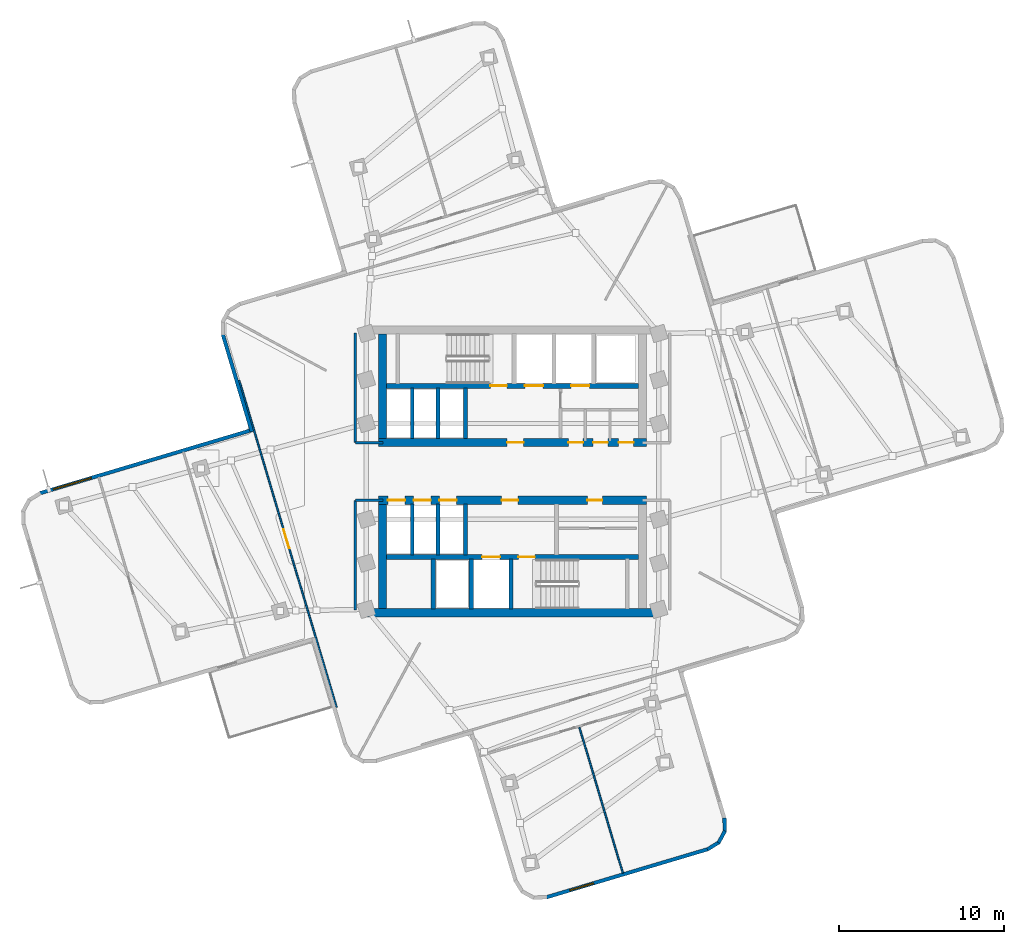
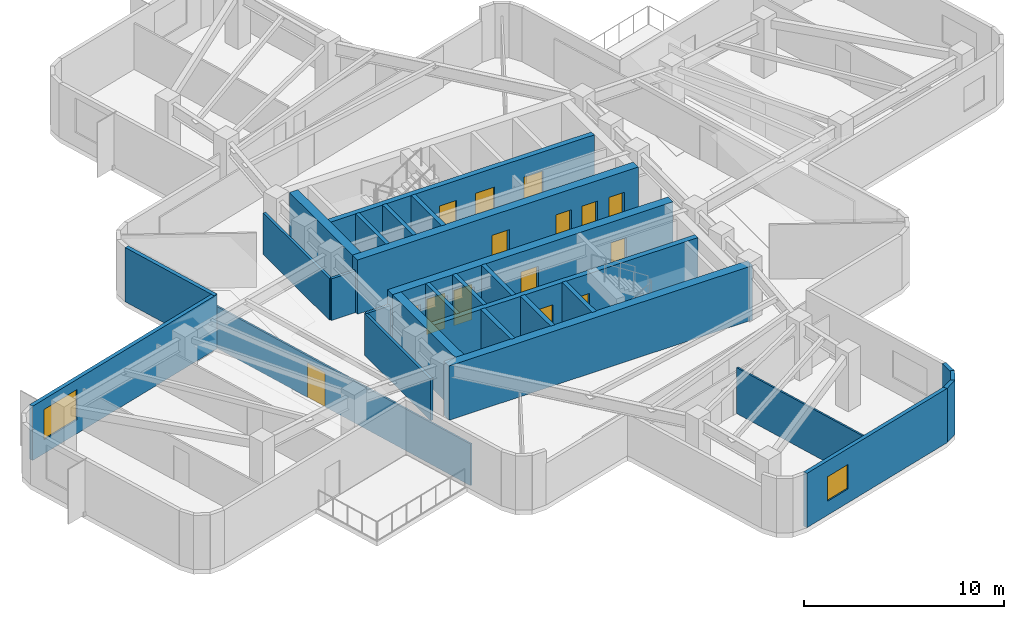
# One storey, part 3 of 8: 28 walls, 15 doors, 2 windows, 17 openings.
"""IFC4 building model written with IfcOpenShell, lengths in metres."""

from ifc_helpers import new_model, si_unit, direction, frame, frame_2d, origin, place, context, subcontext, project, spatial, rectangle, extrude, material, layer, layer_set, type_object, element, fill, save


model = new_model("IFC4")

# Units and contexts
model_context = context("Model", 3, precision=1e-05, world=origin(), true_north=direction((0.0, 1.0)))
body_context = subcontext(model_context, "Body", "Model", "MODEL_VIEW")
ifc_project = project(units=[si_unit("LENGTHUNIT", "METRE"), si_unit("AREAUNIT", "SQUARE_METRE"), si_unit("VOLUMEUNIT", "CUBIC_METRE"), si_unit("PLANEANGLEUNIT", "RADIAN"), si_unit("MASSUNIT", "GRAM", prefix="KILO")], contexts=[model_context])

# Site, building, storey
site_placement = place(None, origin())
site = spatial("IfcSite", under=ifc_project, at=site_placement, CompositionType="ELEMENT")
building_placement = place(site_placement, origin())
building = spatial("IfcBuilding", under=site, at=building_placement, Name="Solmarez Civic Tower", CompositionType="ELEMENT")
storey_placement = place(building_placement, frame((0.0, 0.0, 145.080078125)))
storey = spatial("IfcBuildingStorey", under=building, at=storey_placement, Name="L38", CompositionType="ELEMENT", Elevation=145.080078125)

# Wall, openings, doors
ifc_material_1 = material(Name="Concrete C60/75", Category="concrete")
ifc_layer_1 = layer(ifc_material_1, 0.5)
ifc_layer_set_1 = layer_set([ifc_layer_1], Name="Concrete C60/75")
wall_type_1 = type_object("IfcWallType", Name="WALL-CORE-500", PredefinedType="SHEAR", material=ifc_layer_set_1)
wall_1_placement = place(storey_placement, frame((8.1201171875, 1.75, 0.0), z_axis=(0.0, 0.0, 1.0), x_axis=(-1.0, 0.0, 0.0)))
wall_1 = element("IfcWall", 1, at=wall_1_placement, inside=storey, type_object=wall_type_1, Name="L38 Split-Core Structural Wall NCW-S-L38", PredefinedType="SHEAR", context=body_context, shape_type="SweptSolid", body=[
    extrude(rectangle(XDim=16.240234375, YDim=0.5, at=frame_2d((8.1201171875, 0.0))), origin(), (0.0, 0.0, 1.0), 3.31982421875),
])
opening_1_placement = place(wall_1_placement, frame((7.449951171875, 0.0, 0.0)))
opening_1 = element("IfcOpeningElement", 2, at=opening_1_placement, cuts=wall_1, Name="Opening D-04", PredefinedType="OPENING", context=body_context, shape_type="SweptSolid", body=[
    extrude(rectangle(XDim=1.0, YDim=2.10009765625, at=frame_2d((0.5, 1.050048828125))), frame((0.0, 0.260009765625, 0.0), z_axis=(0.0, -1.0, 0.0), x_axis=(1.0, 0.0, 0.0)), (0.0, 0.0, 1.0), 0.52001953125),
])
opening_2_placement = place(wall_1_placement, frame((3.85009765625, 0.0, 0.0)))
opening_2 = element("IfcOpeningElement", 3, at=opening_2_placement, cuts=wall_1, Name="Opening D-09", PredefinedType="OPENING", context=body_context, shape_type="SweptSolid", body=[
    extrude(rectangle(XDim=0.89990234375, YDim=2.06005859375, at=frame_2d((0.449951171875, 1.030029296875))), frame((0.0, 0.260009765625, 0.0), z_axis=(0.0, -1.0, 0.0), x_axis=(1.0, 0.0, 0.0)), (0.0, 0.0, 1.0), 0.52001953125),
])
opening_3_placement = place(wall_1_placement, frame((2.35009765625, 0.0, 0.0)))
opening_3 = element("IfcOpeningElement", 4, at=opening_3_placement, cuts=wall_1, Name="Opening D-09", PredefinedType="OPENING", context=body_context, shape_type="SweptSolid", body=[
    extrude(rectangle(XDim=0.89990234375, YDim=2.06005859375, at=frame_2d((0.449951171875, 1.030029296875))), frame((0.0, 0.260009765625, 0.0), z_axis=(0.0, -1.0, 0.0), x_axis=(1.0, 0.0, 0.0)), (0.0, 0.0, 1.0), 0.52001953125),
])
opening_4_placement = place(wall_1_placement, frame((0.800048828125, 0.0, 0.0)))
opening_4 = element("IfcOpeningElement", 5, at=opening_4_placement, cuts=wall_1, Name="Opening D-09", PredefinedType="OPENING", context=body_context, shape_type="SweptSolid", body=[
    extrude(rectangle(XDim=0.89990234375, YDim=2.06005859375, at=frame_2d((0.449951171875, 1.030029296875))), frame((0.0, 0.260009765625, 0.0), z_axis=(0.0, -1.0, 0.0), x_axis=(1.0, 0.0, 0.0)), (0.0, 0.0, 1.0), 0.52001953125),
])
ifc_material_2 = material(Name="Steel-Faced Acoustic Fire Door", Category="steel")
door_type_1 = type_object("IfcDoorType", Name="DOOR-FD60-1000", OperationType="NOTDEFINED", PredefinedType="DOOR", material=ifc_material_2)
door_1_placement = place(opening_1_placement, origin())
door_1 = element("IfcDoor", 6, at=door_1_placement, inside=storey, type_object=door_type_1, Name="L38 North Firefighting Lobby Door", OperationType="SINGLE_SWING_LEFT", OverallHeight=2.10009765625, OverallWidth=1.0, PredefinedType="DOOR", context=body_context, shape_type="SweptSolid", body=[
    extrude(rectangle(XDim=1.0, YDim=2.10009765625, at=frame_2d((0.5, 1.050048828125))), frame((0.0, 0.02490234375, 0.0), z_axis=(0.0, -1.0, 0.0), x_axis=(1.0, 0.0, 0.0)), (0.0, 0.0, 1.0), 0.050048828125),
])
fill(opening_1, door_1)
ifc_material_3 = material(Name="Fire-Rated Service Core Door", Category="wood")
door_type_2 = type_object("IfcDoorType", Name="DOOR-FD60-900", OperationType="NOTDEFINED", PredefinedType="DOOR", material=ifc_material_3)
door_2_placement = place(opening_2_placement, origin())
door_2 = element("IfcDoor", 7, at=door_2_placement, inside=storey, type_object=door_type_2, Name="L38 Core WC Door", OperationType="SINGLE_SWING_RIGHT", OverallHeight=2.06005859375, OverallWidth=0.89990234375, PredefinedType="DOOR", context=body_context, shape_type="SweptSolid", body=[
    extrude(rectangle(XDim=0.89990234375, YDim=2.06005859375, at=frame_2d((0.449951171875, 1.030029296875))), frame((0.0, 0.02490234375, 0.0), z_axis=(0.0, -1.0, 0.0), x_axis=(1.0, 0.0, 0.0)), (0.0, 0.0, 1.0), 0.050048828125),
])
fill(opening_2, door_2)
door_3_placement = place(opening_3_placement, origin())
door_3 = element("IfcDoor", 8, at=door_3_placement, inside=storey, type_object=door_type_2, Name="L38 Core CL Door", OperationType="SINGLE_SWING_LEFT", OverallHeight=2.06005859375, OverallWidth=0.89990234375, PredefinedType="DOOR", context=body_context, shape_type="SweptSolid", body=[
    extrude(rectangle(XDim=0.89990234375, YDim=2.06005859375, at=frame_2d((0.449951171875, 1.030029296875))), frame((0.0, 0.02490234375, 0.0), z_axis=(0.0, -1.0, 0.0), x_axis=(1.0, 0.0, 0.0)), (0.0, 0.0, 1.0), 0.050048828125),
])
fill(opening_3, door_3)
door_4_placement = place(opening_4_placement, origin())
door_4 = element("IfcDoor", 9, at=door_4_placement, inside=storey, type_object=door_type_2, Name="L38 Core IT Door", OperationType="SINGLE_SWING_LEFT", OverallHeight=2.06005859375, OverallWidth=0.89990234375, PredefinedType="DOOR", context=body_context, shape_type="SweptSolid", body=[
    extrude(rectangle(XDim=0.89990234375, YDim=2.06005859375, at=frame_2d((0.449951171875, 1.030029296875))), frame((0.0, 0.02490234375, 0.0), z_axis=(0.0, -1.0, 0.0), x_axis=(1.0, 0.0, 0.0)), (0.0, 0.0, 1.0), 0.050048828125),
])
fill(opening_4, door_4)

# Walls
wall_2_placement = place(storey_placement, frame((-7.8701171875, 2.0, 0.0), z_axis=(0.0, 0.0, 1.0), x_axis=(0.0, 1.0, 0.0)))
element("IfcWall", 10, at=wall_2_placement, inside=storey, type_object=wall_type_1, Name="L38 Split-Core Structural Wall NCW-W-L38", PredefinedType="SHEAR", context=body_context, shape_type="SweptSolid", body=[
    extrude(rectangle(XDim=6.31005859375, YDim=0.5, at=frame_2d((3.155029296875, 0.0))), origin(), (0.0, 0.0, 1.0), 3.31982421875),
])
wall_3_placement = place(storey_placement, frame((8.780029296875, -8.56005859375, 0.0), z_axis=(0.0, 0.0, 1.0), x_axis=(-1.0, 0.0, 0.0)))
element("IfcWall", 11, at=wall_3_placement, inside=storey, type_object=wall_type_1, Name="L38 Split-Core Structural Wall SCW-S-L38", PredefinedType="SHEAR", context=body_context, shape_type="SweptSolid", body=[
    extrude(rectangle(XDim=17.56005859375, YDim=0.5, at=frame_2d((8.780029296875, 0.0))), origin(), (0.0, 0.0, 1.0), 3.31982421875),
])

# Wall, openings, doors
wall_4_placement = place(storey_placement, frame((-8.1201171875, -1.75, 0.0), z_axis=(0.0, 0.0, 1.0), x_axis=(1.0, 0.0, 0.0)))
wall_4 = element("IfcWall", 12, at=wall_4_placement, inside=storey, type_object=wall_type_1, Name="L38 Split-Core Structural Wall SCW-N-L38", PredefinedType="SHEAR", context=body_context, shape_type="SweptSolid", body=[
    extrude(rectangle(XDim=16.240234375, YDim=0.5, at=frame_2d((8.1201171875, 0.0))), origin(), (0.0, 0.0, 1.0), 3.31982421875),
])
opening_5_placement = place(wall_4_placement, frame((7.449951171875, 0.0, 0.0)))
opening_5 = element("IfcOpeningElement", 13, at=opening_5_placement, cuts=wall_4, Name="Opening D-04", PredefinedType="OPENING", context=body_context, shape_type="SweptSolid", body=[
    extrude(rectangle(XDim=1.0, YDim=2.10009765625, at=frame_2d((0.5, 1.050048828125))), frame((0.0, 0.260009765625, 0.0), z_axis=(0.0, -1.0, 0.0), x_axis=(1.0, 0.0, 0.0)), (0.0, 0.0, 1.0), 0.52001953125),
])
opening_6_placement = place(wall_4_placement, frame((12.64990234375, 0.0, 0.0)))
opening_6 = element("IfcOpeningElement", 14, at=opening_6_placement, cuts=wall_4, Name="Opening D-09", PredefinedType="OPENING", context=body_context, shape_type="SweptSolid", body=[
    extrude(rectangle(XDim=0.89990234375, YDim=2.06005859375, at=frame_2d((0.449951171875, 1.030029296875))), frame((0.0, 0.260009765625, 0.0), z_axis=(0.0, -1.0, 0.0), x_axis=(1.0, 0.0, 0.0)), (0.0, 0.0, 1.0), 0.52001953125),
])
opening_7_placement = place(wall_4_placement, frame((0.56494140625, 0.0, 0.0)))
opening_7 = element("IfcOpeningElement", 15, at=opening_7_placement, cuts=wall_4, Name="Opening LD-01", PredefinedType="OPENING", context=body_context, shape_type="SweptSolid", body=[
    extrude(rectangle(XDim=1.050048828125, YDim=2.14990234375, at=frame_2d((0.52490234375, 1.074951171875))), frame((0.0, 0.260009765625, 0.0), z_axis=(0.0, -1.0, 0.0), x_axis=(1.0, 0.0, 0.0)), (0.0, 0.0, 1.0), 0.52001953125),
])
opening_8_placement = place(wall_4_placement, frame((2.125, 0.0, 0.0)))
opening_8 = element("IfcOpeningElement", 16, at=opening_8_placement, cuts=wall_4, Name="Opening LD-01", PredefinedType="OPENING", context=body_context, shape_type="SweptSolid", body=[
    extrude(rectangle(XDim=1.050048828125, YDim=2.14990234375, at=frame_2d((0.52490234375, 1.074951171875))), frame((0.0, 0.260009765625, 0.0), z_axis=(0.0, -1.0, 0.0), x_axis=(1.0, 0.0, 0.0)), (0.0, 0.0, 1.0), 0.52001953125),
])
opening_9_placement = place(wall_4_placement, frame((3.68505859375, 0.0, 0.0)))
opening_9 = element("IfcOpeningElement", 17, at=opening_9_placement, cuts=wall_4, Name="Opening LD-01", PredefinedType="OPENING", context=body_context, shape_type="SweptSolid", body=[
    extrude(rectangle(XDim=1.050048828125, YDim=2.14990234375, at=frame_2d((0.52490234375, 1.074951171875))), frame((0.0, 0.260009765625, 0.0), z_axis=(0.0, -1.0, 0.0), x_axis=(1.0, 0.0, 0.0)), (0.0, 0.0, 1.0), 0.52001953125),
])
door_5_placement = place(opening_5_placement, origin())
door_5 = element("IfcDoor", 18, at=door_5_placement, inside=storey, type_object=door_type_1, Name="L38 South Firefighting Lobby Door", OperationType="SINGLE_SWING_RIGHT", OverallHeight=2.10009765625, OverallWidth=1.0, PredefinedType="DOOR", context=body_context, shape_type="SweptSolid", body=[
    extrude(rectangle(XDim=1.0, YDim=2.10009765625, at=frame_2d((0.5, 1.050048828125))), frame((0.0, 0.02490234375, 0.0), z_axis=(0.0, -1.0, 0.0), x_axis=(1.0, 0.0, 0.0)), (0.0, 0.0, 1.0), 0.050048828125),
])
fill(opening_5, door_5)
door_6_placement = place(opening_6_placement, origin())
door_6 = element("IfcDoor", 19, at=door_6_placement, inside=storey, type_object=door_type_2, Name="L38 Freed Hoistway Mailroom Door", OperationType="SINGLE_SWING_LEFT", OverallHeight=2.06005859375, OverallWidth=0.89990234375, PredefinedType="DOOR", context=body_context, shape_type="SweptSolid", body=[
    extrude(rectangle(XDim=0.89990234375, YDim=2.06005859375, at=frame_2d((0.449951171875, 1.030029296875))), frame((0.0, 0.02490234375, 0.0), z_axis=(0.0, -1.0, 0.0), x_axis=(1.0, 0.0, 0.0)), (0.0, 0.0, 1.0), 0.050048828125),
])
fill(opening_6, door_6)
ifc_material_4 = material(Name="Bronze Passenger Lift Landing Sliding Door", Category="aluminium")
door_type_3 = type_object("IfcDoorType", Name="DOOR-LD-PAX-1050", OperationType="DOUBLE_DOOR_SLIDING", PredefinedType="DOOR", material=ifc_material_4)
door_7_placement = place(opening_7_placement, origin())
door_7 = element("IfcDoor", 20, at=door_7_placement, inside=storey, type_object=door_type_3, Name="L38 Mid-Rise Lift Landing Door PL-M1", OperationType="DOUBLE_DOOR_SLIDING", OverallHeight=2.14990234375, OverallWidth=1.050048828125, PredefinedType="DOOR", context=body_context, shape_type="SweptSolid", body=[
    extrude(rectangle(XDim=1.050048828125, YDim=2.14990234375, at=frame_2d((0.52490234375, 1.074951171875))), frame((0.0, 0.02490234375, 0.0), z_axis=(0.0, -1.0, 0.0), x_axis=(1.0, 0.0, 0.0)), (0.0, 0.0, 1.0), 0.050048828125),
])
fill(opening_7, door_7)
door_8_placement = place(opening_8_placement, origin())
door_8 = element("IfcDoor", 21, at=door_8_placement, inside=storey, type_object=door_type_3, Name="L38 Mid-Rise Lift Landing Door PL-M2", OperationType="DOUBLE_DOOR_SLIDING", OverallHeight=2.14990234375, OverallWidth=1.050048828125, PredefinedType="DOOR", context=body_context, shape_type="SweptSolid", body=[
    extrude(rectangle(XDim=1.050048828125, YDim=2.14990234375, at=frame_2d((0.52490234375, 1.074951171875))), frame((0.0, 0.02490234375, 0.0), z_axis=(0.0, -1.0, 0.0), x_axis=(1.0, 0.0, 0.0)), (0.0, 0.0, 1.0), 0.050048828125),
])
fill(opening_8, door_8)
door_9_placement = place(opening_9_placement, origin())
door_9 = element("IfcDoor", 22, at=door_9_placement, inside=storey, type_object=door_type_3, Name="L38 Mid-Rise Lift Landing Door PL-M3", OperationType="DOUBLE_DOOR_SLIDING", OverallHeight=2.14990234375, OverallWidth=1.050048828125, PredefinedType="DOOR", context=body_context, shape_type="SweptSolid", body=[
    extrude(rectangle(XDim=1.050048828125, YDim=2.14990234375, at=frame_2d((0.52490234375, 1.074951171875))), frame((0.0, 0.02490234375, 0.0), z_axis=(0.0, -1.0, 0.0), x_axis=(1.0, 0.0, 0.0)), (0.0, 0.0, 1.0), 0.050048828125),
])
fill(opening_9, door_9)

# Wall
wall_5_placement = place(storey_placement, frame((-7.8701171875, -8.31005859375, 0.0), z_axis=(0.0, 0.0, 1.0), x_axis=(0.0, 1.0, 0.0)))
element("IfcWall", 23, at=wall_5_placement, inside=storey, type_object=wall_type_1, Name="L38 Split-Core Structural Wall SCW-W-L38", PredefinedType="SHEAR", context=body_context, shape_type="SweptSolid", body=[
    extrude(rectangle(XDim=6.31005859375, YDim=0.5, at=frame_2d((3.155029296875, 0.0))), origin(), (0.0, 0.0, 1.0), 3.31982421875),
])

# Wall, opening, window
ifc_material_5 = material(Name="Precast concrete C40/50", Category="concrete")
ifc_layer_2 = layer(ifc_material_5, 0.219970703125)
ifc_layer_set_2 = layer_set([ifc_layer_2], Name="Precast concrete C40/50")
wall_type_2 = type_object("IfcWallType", Name="WALL-EXT-220", PredefinedType="SOLIDWALL", material=ifc_layer_set_2)
wall_6_placement = place(storey_placement, frame((-28.6259765625, -1.322998046875, 0.0), z_axis=(0.0, 0.0, 1.0), x_axis=(0.958343962332, 0.285616613419, 0.0)))
wall_6 = element("IfcWall", 24, at=wall_6_placement, inside=storey, type_object=wall_type_2, Name="L38 Exterior Precast Wall 10", PredefinedType="SOLIDWALL", context=body_context, shape_type="SweptSolid", body=[
    extrude(rectangle(XDim=13.45849609375, YDim=0.219970703125, at=frame_2d((6.729248046875, 0.0))), origin(), (0.0, 0.0, 1.0), 3.31982421875),
])
opening_10_placement = place(wall_6_placement, frame((0.85009765625, 0.0, 0.85009765625)))
opening_10 = element("IfcOpeningElement", 25, at=opening_10_placement, cuts=wall_6, Name="Opening W-06", PredefinedType="OPENING", context=body_context, shape_type="SweptSolid", body=[
    extrude(rectangle(XDim=2.39990234375, YDim=1.85009765625, at=frame_2d((1.199951171875, 0.925048828125))), frame((0.0, 0.119873046875, 0.0), z_axis=(0.0, -1.0, 0.0), x_axis=(1.0, 0.0, 0.0)), (0.0, 0.0, 1.0), 0.239990234375),
])
ifc_material_6 = material(Name="Solar Control Bronze-Tinted Insulating Glass", Category="glass")
window_type_1 = type_object("IfcWindowType", Name="WIN-2400X1850", PartitioningType="SINGLE_PANEL", PredefinedType="WINDOW", material=ifc_material_6)
window_1_placement = place(opening_10_placement, origin())
window_1 = element("IfcWindow", 26, at=window_1_placement, inside=storey, type_object=window_type_1, Name="L38 Exterior Facade Window 10", OverallHeight=1.85009765625, OverallWidth=2.39990234375, PartitioningType="SINGLE_PANEL", PredefinedType="WINDOW", context=body_context, shape_type="SweptSolid", body=[
    extrude(rectangle(XDim=2.39990234375, YDim=1.85009765625, at=frame_2d((1.199951171875, 0.925048828125))), frame((0.0, 0.030029296875, 0.0), z_axis=(0.0, -1.0, 0.0), x_axis=(1.0, 0.0, 0.0)), (0.0, 0.0, 1.0), 0.06005859375),
])
fill(opening_10, window_1)

# Walls
wall_7_placement = place(storey_placement, frame((-15.787109375, 2.412109375, 0.0), z_axis=(0.0, 0.0, 1.0), x_axis=(-0.285712854037, 0.958315274342, 0.0)))
element("IfcWall", 27, at=wall_7_placement, inside=storey, type_object=wall_type_2, Name="L38 Exterior Precast Wall 13", PredefinedType="SOLIDWALL", context=body_context, shape_type="SweptSolid", body=[
    extrude(rectangle(XDim=6.138671875, YDim=0.219970703125, at=frame_2d((3.0693359375, 0.0))), origin(), (0.0, 0.0, 1.0), 3.31982421875),
])
wall_8_placement = place(storey_placement, frame((12.822021484375, -20.971923828125, 0.0), z_axis=(0.0, 0.0, 1.0), x_axis=(0.028676726094, -0.999588738122, 0.0)))
element("IfcWall", 28, at=wall_8_placement, inside=storey, type_object=wall_type_2, Name="L38 Exterior Precast Wall 57", PredefinedType="SOLIDWALL", context=body_context, shape_type="SweptSolid", body=[
    extrude(rectangle(XDim=0.834228515625, YDim=0.219970703125, at=frame_2d((0.4169921875, 0.0))), origin(), (0.0, 0.0, 1.0), 3.31982421875),
])
wall_9_placement = place(storey_placement, frame((12.85693359375, -21.759033203125, 0.0), z_axis=(0.0, 0.0, 1.0), x_axis=(-0.47569769932, -0.879608832869, 0.0)))
element("IfcWall", 29, at=wall_9_placement, inside=storey, type_object=wall_type_2, Name="L38 Exterior Precast Wall 58", PredefinedType="SOLIDWALL", context=body_context, shape_type="SweptSolid", body=[
    extrude(rectangle(XDim=0.819580078125, YDim=0.219970703125, at=frame_2d((0.40966796875, 0.0))), origin(), (0.0, 0.0, 1.0), 3.31982421875),
])
wall_10_placement = place(storey_placement, frame((12.5, -22.445068359375, 0.0), z_axis=(0.0, 0.0, 1.0), x_axis=(-0.851597982144, -0.524195456684, 0.0)))
element("IfcWall", 30, at=wall_10_placement, inside=storey, type_object=wall_type_2, Name="L38 Exterior Precast Wall 59", PredefinedType="SOLIDWALL", context=body_context, shape_type="SweptSolid", body=[
    extrude(rectangle(XDim=0.833740234375, YDim=0.219970703125, at=frame_2d((0.4169921875, 0.0))), origin(), (0.0, 0.0, 1.0), 3.31982421875),
])

# Wall, opening, window
wall_11_placement = place(storey_placement, frame((11.8349609375, -22.862060546875, 0.0), z_axis=(0.0, 0.0, 1.0), x_axis=(-0.958339179484, -0.285632661063, 0.0)))
wall_11 = element("IfcWall", 31, at=wall_11_placement, inside=storey, type_object=wall_type_2, Name="L38 Exterior Precast Wall 60", PredefinedType="SOLIDWALL", context=body_context, shape_type="SweptSolid", body=[
    extrude(rectangle(XDim=10.240478515625, YDim=0.219970703125, at=frame_2d((5.1201171875, 0.0))), origin(), (0.0, 0.0, 1.0), 3.31982421875),
])
opening_11_placement = place(wall_11_placement, frame((7.238037109375, 0.0, 0.85009765625)))
opening_11 = element("IfcOpeningElement", 32, at=opening_11_placement, cuts=wall_11, Name="Opening W-14", PredefinedType="OPENING", context=body_context, shape_type="SweptSolid", body=[
    extrude(rectangle(XDim=1.5, YDim=1.5, at=frame_2d((0.75, 0.75))), frame((0.0, 0.119873046875, 0.0), z_axis=(0.0, -1.0, 0.0), x_axis=(1.0, 0.0, 0.0)), (0.0, 0.0, 1.0), 0.239990234375),
])
window_type_2 = type_object("IfcWindowType", Name="WIN-1500X1500", PartitioningType="SINGLE_PANEL", PredefinedType="WINDOW", material=ifc_material_6)
window_2_placement = place(opening_11_placement, origin())
window_2 = element("IfcWindow", 33, at=window_2_placement, inside=storey, type_object=window_type_2, Name="L38 Exterior Facade Window 60", OverallHeight=1.5, OverallWidth=1.5, PartitioningType="SINGLE_PANEL", PredefinedType="WINDOW", context=body_context, shape_type="SweptSolid", body=[
    extrude(rectangle(XDim=1.5, YDim=1.5, at=frame_2d((0.75, 0.75))), frame((0.0, 0.030029296875, 0.0), z_axis=(0.0, -1.0, 0.0), x_axis=(1.0, 0.0, 0.0)), (0.0, 0.0, 1.0), 0.06005859375),
])
fill(opening_11, window_2)

# Walls
ifc_material_7 = material(Name="Gypsum Board Acoustic Steel-Stud Partition", Category="steel")
ifc_layer_3 = layer(ifc_material_7, 0.14990234375)
ifc_layer_set_3 = layer_set([ifc_layer_3], Name="Gypsum Board Acoustic Steel-Stud Partition")
wall_type_3 = type_object("IfcWallType", Name="WALL-INT-FIRE-150", PredefinedType="PARTITIONING", material=ifc_layer_set_3)
wall_12_placement = place(storey_placement, frame((-9.52001953125, 1.75, 0.0), z_axis=(0.0, 0.0, 1.0), x_axis=(0.0, 1.0, 0.0)))
element("IfcWall", 34, at=wall_12_placement, inside=storey, type_object=wall_type_3, Name="L38 Interior Partition CHW-L38-WN1", PredefinedType="PARTITIONING", context=body_context, shape_type="SweptSolid", body=[
    extrude(rectangle(XDim=6.6298828125, YDim=0.14990234375, at=frame_2d((3.31494140625, 0.0))), origin(), (0.0, 0.0, 1.0), 2.5498046875),
])
wall_13_placement = place(storey_placement, frame((-7.85009765625, 1.75, 0.0), z_axis=(0.0, 0.0, 1.0), x_axis=(-1.0, 0.0, 0.0)))
element("IfcWall", 35, at=wall_13_placement, inside=storey, type_object=wall_type_3, Name="L38 Interior Partition CHW-L38-WN3", PredefinedType="PARTITIONING", context=body_context, shape_type="SweptSolid", body=[
    extrude(rectangle(XDim=1.669921875, YDim=0.14990234375, at=frame_2d((0.8349609375, 0.0))), origin(), (0.0, 0.0, 1.0), 2.5498046875),
])
wall_14_placement = place(storey_placement, frame((-9.52001953125, -8.3798828125, 0.0), z_axis=(0.0, 0.0, 1.0), x_axis=(0.0, 1.0, 0.0)))
element("IfcWall", 36, at=wall_14_placement, inside=storey, type_object=wall_type_3, Name="L38 Interior Partition CHW-L38-WS1", PredefinedType="PARTITIONING", context=body_context, shape_type="SweptSolid", body=[
    extrude(rectangle(XDim=6.6298828125, YDim=0.14990234375, at=frame_2d((3.31494140625, 0.0))), origin(), (0.0, 0.0, 1.0), 2.5498046875),
])
wall_15_placement = place(storey_placement, frame((-7.85009765625, -1.75, 0.0), z_axis=(0.0, 0.0, 1.0), x_axis=(-1.0, 0.0, 0.0)))
element("IfcWall", 37, at=wall_15_placement, inside=storey, type_object=wall_type_3, Name="L38 Interior Partition CHW-L38-WS3", PredefinedType="PARTITIONING", context=body_context, shape_type="SweptSolid", body=[
    extrude(rectangle(XDim=1.669921875, YDim=0.14990234375, at=frame_2d((0.8349609375, 0.0))), origin(), (0.0, 0.0, 1.0), 2.5498046875),
])

# Wall, opening, door
ifc_layer_4 = layer(ifc_material_7, 0.10009765625)
ifc_layer_set_4 = layer_set([ifc_layer_4], Name="Gypsum Board Acoustic Steel-Stud Partition")
wall_type_4 = type_object("IfcWallType", Name="WALL-INT-PART-100", PredefinedType="PARTITIONING", material=ifc_layer_set_4)
wall_16_placement = place(storey_placement, frame((-10.655029296875, -14.279052734375, 0.0), z_axis=(0.0, 0.0, 1.0), x_axis=(-0.285665949025, 0.958329257389, 0.0)))
wall_16 = element("IfcWall", 38, at=wall_16_placement, inside=storey, type_object=wall_type_4, Name="L38 Interior Partition PT-L38-W-ENT", PredefinedType="PARTITIONING", context=body_context, shape_type="SweptSolid", body=[
    extrude(rectangle(XDim=20.659912109375, YDim=0.10009765625, at=frame_2d((10.330078125, 0.0))), origin(), (0.0, 0.0, 1.0), 2.5498046875),
])
opening_12_placement = place(wall_16_placement, frame((10.0400390625, 0.0, 0.0)))
opening_12 = element("IfcOpeningElement", 39, at=opening_12_placement, cuts=wall_16, Name="Opening D-11", PredefinedType="OPENING", context=body_context, shape_type="SweptSolid", body=[
    extrude(rectangle(XDim=1.199951171875, YDim=2.10009765625, at=frame_2d((0.60009765625, 1.050048828125))), frame((0.0, 0.06005859375, 0.0), z_axis=(0.0, -1.0, 0.0), x_axis=(1.0, 0.0, 0.0)), (0.0, 0.0, 1.0), 0.1201171875),
])
ifc_material_8 = material(Name="Glazed-Vision Acoustic Chamber Door", Category="wood")
door_type_4 = type_object("IfcDoorType", Name="DOOR-INT-1200", OperationType="NOTDEFINED", PredefinedType="DOOR", material=ifc_material_8)
door_10_placement = place(opening_12_placement, origin())
door_10 = element("IfcDoor", 40, at=door_10_placement, inside=storey, type_object=door_type_4, Name="L38 Directorate Office First West Door", OperationType="SINGLE_SWING_LEFT", OverallHeight=2.10009765625, OverallWidth=1.199951171875, PredefinedType="DOOR", context=body_context, shape_type="SweptSolid", body=[
    extrude(rectangle(XDim=1.199951171875, YDim=2.10009765625, at=frame_2d((0.60009765625, 1.050048828125))), frame((0.0, 0.02490234375, 0.0), z_axis=(0.0, -1.0, 0.0), x_axis=(1.0, 0.0, 0.0)), (0.0, 0.0, 1.0), 0.050048828125),
])
fill(opening_12, door_10)

# Wall
wall_17_placement = place(storey_placement, frame((4.0439453125, -15.489990234375, 0.0), z_axis=(0.0, 0.0, 1.0), x_axis=(0.285631393534, -0.95833955727, 0.0)))
element("IfcWall", 41, at=wall_17_placement, inside=storey, type_object=wall_type_4, Name="L38 Interior Partition PT-L38-S-TSP", PredefinedType="PARTITIONING", context=body_context, shape_type="SweptSolid", body=[
    extrude(rectangle(XDim=9.21484375, YDim=0.10009765625, at=frame_2d((4.607421875, 0.0))), origin(), (0.0, 0.0, 1.0), 2.81201171875),
])

# Wall, openings, doors
ifc_material_9 = material(Name="Concrete C50/60", Category="concrete")
ifc_layer_5 = layer(ifc_material_9, 0.300048828125)
ifc_layer_set_5 = layer_set([ifc_layer_5], Name="Concrete C50/60")
wall_type_5 = type_object("IfcWallType", Name="WALL-STR-300", PredefinedType="SOLIDWALL", material=ifc_layer_set_5)
wall_18_placement = place(storey_placement, frame((7.6201171875, 5.179931640625, 0.0), z_axis=(0.0, 0.0, 1.0), x_axis=(-1.0, 0.0, 0.0)))
wall_18 = element("IfcWall", 42, at=wall_18_placement, inside=storey, type_object=wall_type_5, Name="L38 Split-Core Structural Wall NCW-M-L38", PredefinedType="SOLIDWALL", context=body_context, shape_type="SweptSolid", body=[
    extrude(rectangle(XDim=15.240234375, YDim=0.300048828125, at=frame_2d((7.6201171875, 0.0))), origin(), (0.0, 0.0, 1.0), 3.31982421875),
])
opening_13_placement = place(wall_18_placement, frame((5.77001953125, 0.0, 0.0)))
opening_13 = element("IfcOpeningElement", 43, at=opening_13_placement, cuts=wall_18, Name="Opening LD-02", PredefinedType="OPENING", context=body_context, shape_type="SweptSolid", body=[
    extrude(rectangle(XDim=1.10009765625, YDim=2.14990234375, at=frame_2d((0.550048828125, 1.074951171875))), frame((0.0, 0.159912109375, 0.0), z_axis=(0.0, -1.0, 0.0), x_axis=(1.0, 0.0, 0.0)), (0.0, 0.0, 1.0), 0.320068359375),
])
opening_14_placement = place(wall_18_placement, frame((2.969970703125, 0.0, 0.0)))
opening_14 = element("IfcOpeningElement", 44, at=opening_14_placement, cuts=wall_18, Name="Opening LD-03", PredefinedType="OPENING", context=body_context, shape_type="SweptSolid", body=[
    extrude(rectangle(XDim=1.10009765625, YDim=2.14990234375, at=frame_2d((0.550048828125, 1.074951171875))), frame((0.0, 0.159912109375, 0.0), z_axis=(0.0, -1.0, 0.0), x_axis=(1.0, 0.0, 0.0)), (0.0, 0.0, 1.0), 0.320068359375),
])
opening_15_placement = place(wall_18_placement, frame((7.969970703125, 0.0, 0.0)))
opening_15 = element("IfcOpeningElement", 45, at=opening_15_placement, cuts=wall_18, Name="Opening D-05", PredefinedType="OPENING", context=body_context, shape_type="SweptSolid", body=[
    extrude(rectangle(XDim=1.0, YDim=2.10009765625, at=frame_2d((0.5, 1.050048828125))), frame((0.0, 0.159912109375, 0.0), z_axis=(0.0, -1.0, 0.0), x_axis=(1.0, 0.0, 0.0)), (0.0, 0.0, 1.0), 0.320068359375),
])
ifc_material_10 = material(Name="Fire-Rated Stairwell Exit Door", Category="wood")
door_type_5 = type_object("IfcDoorType", Name="DOOR-FD90-1000", OperationType="NOTDEFINED", PredefinedType="DOOR", material=ifc_material_10)
door_11_placement = place(opening_15_placement, origin())
door_11 = element("IfcDoor", 46, at=door_11_placement, inside=storey, type_object=door_type_5, Name="L38 North Exit Stair Door ST-1", OperationType="SINGLE_SWING_LEFT", OverallHeight=2.10009765625, OverallWidth=1.0, PredefinedType="DOOR", context=body_context, shape_type="SweptSolid", body=[
    extrude(rectangle(XDim=1.0, YDim=2.10009765625, at=frame_2d((0.5, 1.050048828125))), frame((0.0, 0.02490234375, 0.0), z_axis=(0.0, -1.0, 0.0), x_axis=(1.0, 0.0, 0.0)), (0.0, 0.0, 1.0), 0.050048828125),
])
fill(opening_15, door_11)
ifc_material_11 = material(Name="Stainless Firefighting Lift Landing Sliding Door", Category="aluminium")
door_type_6 = type_object("IfcDoorType", Name="DOOR-LD-FF-1100", OperationType="DOUBLE_DOOR_SLIDING", PredefinedType="DOOR", material=ifc_material_11)
door_12_placement = place(opening_13_placement, origin())
door_12 = element("IfcDoor", 47, at=door_12_placement, inside=storey, type_object=door_type_6, Name="L38 Firefighting Lift Landing Door FFL-1", OperationType="DOUBLE_DOOR_SLIDING", OverallHeight=2.14990234375, OverallWidth=1.10009765625, PredefinedType="DOOR", context=body_context, shape_type="SweptSolid", body=[
    extrude(rectangle(XDim=1.10009765625, YDim=2.14990234375, at=frame_2d((0.550048828125, 1.074951171875))), frame((0.0, 0.02490234375, 0.0), z_axis=(0.0, -1.0, 0.0), x_axis=(1.0, 0.0, 0.0)), (0.0, 0.0, 1.0), 0.050048828125),
])
fill(opening_13, door_12)
ifc_material_12 = material(Name="Stainless Stretcher Lift Landing Sliding Door", Category="aluminium")
door_type_7 = type_object("IfcDoorType", Name="DOOR-LD-SV-1100", OperationType="DOUBLE_DOOR_SLIDING", PredefinedType="DOOR", material=ifc_material_12)
door_13_placement = place(opening_14_placement, origin())
door_13 = element("IfcDoor", 48, at=door_13_placement, inside=storey, type_object=door_type_7, Name="L38 Service Stretcher Lift Landing Door SVL-1", OperationType="DOUBLE_DOOR_SLIDING", OverallHeight=2.14990234375, OverallWidth=1.10009765625, PredefinedType="DOOR", context=body_context, shape_type="SweptSolid", body=[
    extrude(rectangle(XDim=1.10009765625, YDim=2.14990234375, at=frame_2d((0.550048828125, 1.074951171875))), frame((0.0, 0.02490234375, 0.0), z_axis=(0.0, -1.0, 0.0), x_axis=(1.0, 0.0, 0.0)), (0.0, 0.0, 1.0), 0.050048828125),
])
fill(opening_14, door_13)

wall_19_placement = place(storey_placement, frame((-7.6201171875, -5.179931640625, 0.0), z_axis=(0.0, 0.0, 1.0), x_axis=(1.0, 0.0, 0.0)))
wall_19 = element("IfcWall", 49, at=wall_19_placement, inside=storey, type_object=wall_type_5, Name="L38 Split-Core Structural Wall SCW-M-L38", PredefinedType="SOLIDWALL", context=body_context, shape_type="SweptSolid", body=[
    extrude(rectangle(XDim=15.240234375, YDim=0.300048828125, at=frame_2d((7.6201171875, 0.0))), origin(), (0.0, 0.0, 1.0), 3.31982421875),
])
opening_16_placement = place(wall_19_placement, frame((5.77001953125, 0.0, 0.0)))
opening_16 = element("IfcOpeningElement", 50, at=opening_16_placement, cuts=wall_19, Name="Opening LD-02", PredefinedType="OPENING", context=body_context, shape_type="SweptSolid", body=[
    extrude(rectangle(XDim=1.10009765625, YDim=2.14990234375, at=frame_2d((0.550048828125, 1.074951171875))), frame((0.0, 0.159912109375, 0.0), z_axis=(0.0, -1.0, 0.0), x_axis=(1.0, 0.0, 0.0)), (0.0, 0.0, 1.0), 0.320068359375),
])
opening_17_placement = place(wall_19_placement, frame((7.969970703125, 0.0, 0.0)))
opening_17 = element("IfcOpeningElement", 51, at=opening_17_placement, cuts=wall_19, Name="Opening D-05", PredefinedType="OPENING", context=body_context, shape_type="SweptSolid", body=[
    extrude(rectangle(XDim=1.0, YDim=2.10009765625, at=frame_2d((0.5, 1.050048828125))), frame((0.0, 0.159912109375, 0.0), z_axis=(0.0, -1.0, 0.0), x_axis=(1.0, 0.0, 0.0)), (0.0, 0.0, 1.0), 0.320068359375),
])
door_14_placement = place(opening_17_placement, origin())
door_14 = element("IfcDoor", 52, at=door_14_placement, inside=storey, type_object=door_type_5, Name="L38 South Exit Stair Door ST-2", OperationType="SINGLE_SWING_RIGHT", OverallHeight=2.10009765625, OverallWidth=1.0, PredefinedType="DOOR", context=body_context, shape_type="SweptSolid", body=[
    extrude(rectangle(XDim=1.0, YDim=2.10009765625, at=frame_2d((0.5, 1.050048828125))), frame((0.0, 0.02490234375, 0.0), z_axis=(0.0, -1.0, 0.0), x_axis=(1.0, 0.0, 0.0)), (0.0, 0.0, 1.0), 0.050048828125),
])
fill(opening_17, door_14)
door_15_placement = place(opening_16_placement, origin())
door_15 = element("IfcDoor", 53, at=door_15_placement, inside=storey, type_object=door_type_6, Name="L38 Firefighting Lift Landing Door FFL-2", OperationType="DOUBLE_DOOR_SLIDING", OverallHeight=2.14990234375, OverallWidth=1.10009765625, PredefinedType="DOOR", context=body_context, shape_type="SweptSolid", body=[
    extrude(rectangle(XDim=1.10009765625, YDim=2.14990234375, at=frame_2d((0.550048828125, 1.074951171875))), frame((0.0, 0.02490234375, 0.0), z_axis=(0.0, -1.0, 0.0), x_axis=(1.0, 0.0, 0.0)), (0.0, 0.0, 1.0), 0.050048828125),
])
fill(opening_16, door_15)

# Walls
wall_20_placement = place(storey_placement, frame((-2.85009765625, 1.97998046875, 0.0), z_axis=(0.0, 0.0, 1.0), x_axis=(0.0, 1.0, 0.0)))
element("IfcWall", 54, at=wall_20_placement, inside=storey, type_object=wall_type_5, Name="L38 Split-Core Structural Wall SHW-NL1-L38", PredefinedType="SOLIDWALL", context=body_context, shape_type="SweptSolid", body=[
    extrude(rectangle(XDim=3.070068359375, YDim=0.25, at=frame_2d((1.53515625, 0.0))), origin(), (0.0, 0.0, 1.0), 3.31982421875),
])
for number, where, z_axis, x_axis, name in (
    (55, (-0.10009765625, -8.340087890625, 0.0), (0.0, 0.0, 1.0), (0.0, 1.0, 0.0), "L38 Split-Core Structural Wall SHW-S1-L38"),
    (56, (-2.5, -8.340087890625, 0.0), (0.0, 0.0, 1.0), (0.0, 1.0, 0.0), "L38 Split-Core Structural Wall SHW-S2-L38"),
    (57, (-4.800048828125, -8.340087890625, 0.0), (0.0, 0.0, 1.0), (0.0, 1.0, 0.0), "L38 Split-Core Structural Wall SHW-S3-L38"),
):
    element("IfcWall", number, at=place(storey_placement, frame(where, z_axis=z_axis, x_axis=x_axis)), inside=storey, type_object=wall_type_5, Name=name, PredefinedType="SOLIDWALL", context=body_context, shape_type="SweptSolid", body=[
        extrude(rectangle(XDim=3.0400390625, YDim=0.25, at=frame_2d((1.52001953125, 0.0))), origin(), (0.0, 0.0, 1.0), 3.31982421875),
    ])
wall_21_placement = place(storey_placement, frame((-2.85009765625, -5.050048828125, 0.0), z_axis=(0.0, 0.0, 1.0), x_axis=(0.0, 1.0, 0.0)))
element("IfcWall", 58, at=wall_21_placement, inside=storey, type_object=wall_type_5, Name="L38 Split-Core Structural Wall SHW-SL1-L38", PredefinedType="SOLIDWALL", context=body_context, shape_type="SweptSolid", body=[
    extrude(rectangle(XDim=3.070068359375, YDim=0.25, at=frame_2d((1.53515625, 0.0))), origin(), (0.0, 0.0, 1.0), 3.31982421875),
])
for number, where, z_axis, x_axis, name in (
    (59, (-6.080078125, 1.97998046875, 0.0), (0.0, 0.0, 1.0), (0.0, 1.0, 0.0), "L38 Split-Core Structural Wall SHW-PLH-L38-1"),
    (60, (-4.52001953125, 1.97998046875, 0.0), (0.0, 0.0, 1.0), (0.0, 1.0, 0.0), "L38 Split-Core Structural Wall SHW-PLH-L38-2"),
    (61, (-6.080078125, -5.050048828125, 0.0), (0.0, 0.0, 1.0), (0.0, 1.0, 0.0), "L38 Split-Core Structural Wall SHW-PLM-L38-1"),
    (62, (-4.52001953125, -5.050048828125, 0.0), (0.0, 0.0, 1.0), (0.0, 1.0, 0.0), "L38 Split-Core Structural Wall SHW-PLM-L38-2"),
):
    element("IfcWall", number, at=place(storey_placement, frame(where, z_axis=z_axis, x_axis=x_axis)), inside=storey, type_object=wall_type_5, Name=name, PredefinedType="SOLIDWALL", context=body_context, shape_type="SweptSolid", body=[
        extrude(rectangle(XDim=3.070068359375, YDim=0.219970703125, at=frame_2d((1.53515625, 0.0))), origin(), (0.0, 0.0, 1.0), 3.31982421875),
    ])

save(model, "model.ifc")
